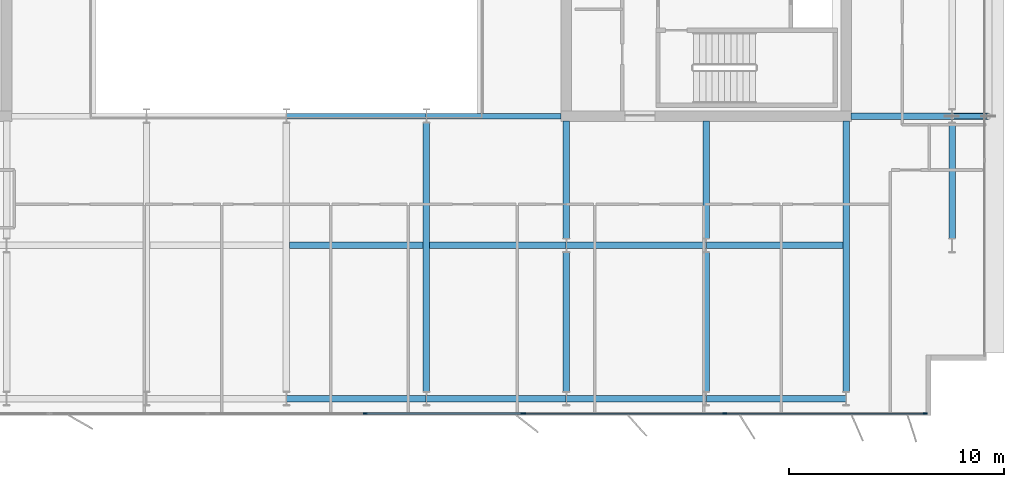
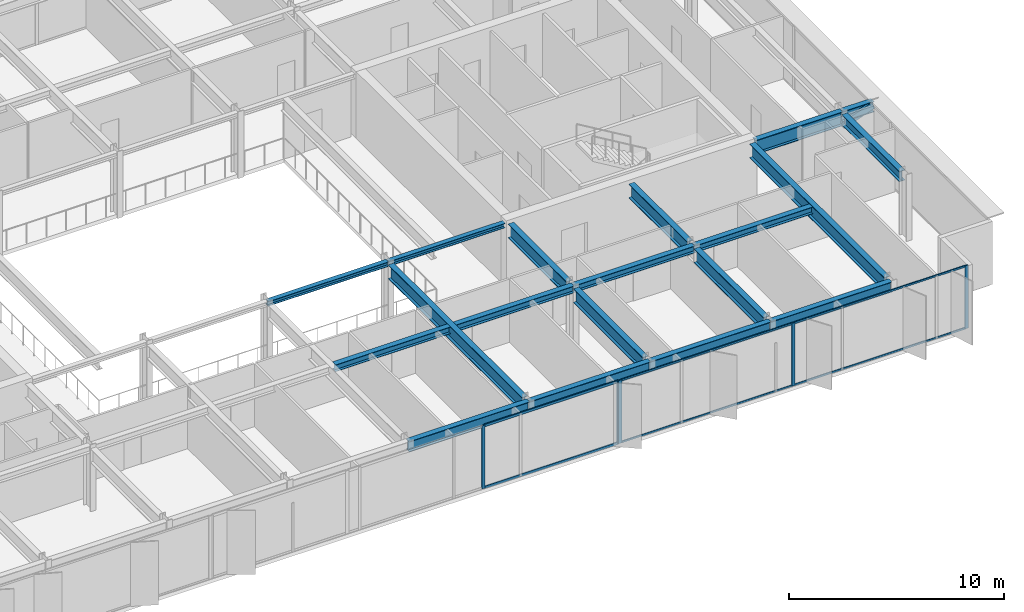
# One storey, part 6 of 20: 19 beams, 12 members, 2 elements without a shape of their own.
"""IFC4 building model written with IfcOpenShell, lengths in metres."""

from ifc_helpers import new_model, si_unit, direction, frame, origin, origin_2d, place, context, subcontext, project, spatial, rectangle, hollow_rectangle, i_section, extrude, material, layer, layer_set, material_profile, profile_set, type_object, element, aggregate, save


model = new_model("IFC4")

# Units and contexts
model_context = context("Model", 3, precision=1e-05, world=origin(), true_north=direction((0.0, 1.0)))
body_context = subcontext(model_context, "Body", "Model", "MODEL_VIEW")
ifc_project = project(units=[si_unit("LENGTHUNIT", "METRE"), si_unit("AREAUNIT", "SQUARE_METRE"), si_unit("VOLUMEUNIT", "CUBIC_METRE"), si_unit("PLANEANGLEUNIT", "RADIAN"), si_unit("MASSUNIT", "GRAM", prefix="KILO")], contexts=[model_context])

# Site, building, storey
site_placement = place(None, origin())
site = spatial("IfcSite", under=ifc_project, at=site_placement, CompositionType="ELEMENT")
building_placement = place(site_placement, origin())
building = spatial("IfcBuilding", under=site, at=building_placement, Name="Putna Gate Headquarters", CompositionType="ELEMENT")
storey_placement = place(building_placement, frame((0.0, 0.0, 270.800048828125)))
storey = spatial("IfcBuildingStorey", under=building, at=storey_placement, Name="L68", CompositionType="ELEMENT", Elevation=270.800048828125)

# Beams
ifc_material_1 = material(Name="Steel S355J2", Category="steel")
ifc_material_profile_1 = material_profile(ifc_material_1, i_section(OverallWidth=0.260009765625, OverallDepth=0.260009765625, WebThickness=0.010009765625, FlangeThickness=0.017578125, at=origin_2d()), Name="Steel S355J2")
ifc_profile_set_1 = profile_set([ifc_material_profile_1], Name="Steel S355J2")
beam_type_1 = type_object("IfcBeamType", Name="BM-ATRIUM-HEB260", PredefinedType="BEAM", material=ifc_profile_set_1)
beam_1_placement = place(storey_placement, frame((39.006103515625, 19.0, 3.4580078125), z_axis=(1.0, 0.0, 0.0), x_axis=(0.0, 1.0, 0.0)))
element("IfcBeam", 1, at=beam_1_placement, inside=storey, type_object=beam_type_1, Name="L68 Atrium Edge Beam AS3", PredefinedType="BEAM", context=body_context, shape_type="SweptSolid", body=[
    extrude(i_section(OverallWidth=0.260009765625, OverallDepth=0.260009765625, WebThickness=0.010009765625, FlangeThickness=0.017578125, at=origin_2d()), origin(), (0.0, 0.0, 1.0), 6.48779296875),
])
beam_2_placement = place(storey_placement, frame((45.506103515625, 19.0, 3.4580078125), z_axis=(1.0, 0.0, 0.0), x_axis=(0.0, 1.0, 0.0)))
element("IfcBeam", 2, at=beam_2_placement, inside=storey, type_object=beam_type_1, Name="L68 Atrium Edge Beam AS4", PredefinedType="BEAM", context=body_context, shape_type="SweptSolid", body=[
    extrude(i_section(OverallWidth=0.260009765625, OverallDepth=0.260009765625, WebThickness=0.010009765625, FlangeThickness=0.017578125, at=origin_2d()), origin(), (0.0, 0.0, 1.0), 6.2587890625),
])
ifc_material_profile_2 = material_profile(ifc_material_1, i_section(OverallWidth=0.300048828125, OverallDepth=0.800048828125, WebThickness=0.017578125, FlangeThickness=0.032958984375, at=origin_2d()), Name="Steel S355J2")
ifc_profile_set_2 = profile_set([ifc_material_profile_2], Name="Steel S355J2")
beam_type_2 = type_object("IfcBeamType", Name="BM-GIRD-P-HEB800", PredefinedType="USERDEFINED", material=ifc_profile_set_2)
beam_3_placement = place(storey_placement, frame((65.235107421875, 19.0, 3.18798828125), z_axis=(1.0, 0.0, 0.0), x_axis=(0.0, 1.0, 0.0)))
element("IfcBeam", 3, at=beam_3_placement, inside=storey, type_object=beam_type_2, Name="L68 East Wing Girder Y19", ObjectType="GIRDER", PredefinedType="USERDEFINED", context=body_context, shape_type="SweptSolid", body=[
    extrude(i_section(OverallWidth=0.300048828125, OverallDepth=0.800048828125, WebThickness=0.017578125, FlangeThickness=0.032958984375, at=origin_2d()), origin(), (0.0, 0.0, 1.0), 4.678955078125),
])
beam_4_placement = place(storey_placement, frame((45.5, 6.201904296875, 3.18798828125), z_axis=(0.0, 1.0, 0.0), x_axis=(-1.0, 0.0, 0.0)))
element("IfcBeam", 4, at=beam_4_placement, inside=storey, type_object=beam_type_2, Name="L68 South Primary Girder X45", ObjectType="GIRDER", PredefinedType="USERDEFINED", context=body_context, shape_type="SweptSolid", body=[
    extrude(i_section(OverallWidth=0.300048828125, OverallDepth=0.800048828125, WebThickness=0.017578125, FlangeThickness=0.032958984375, at=origin_2d()), origin(), (0.0, 0.0, 1.0), 12.47607421875),
])
beam_5_placement = place(storey_placement, frame((52.0, 6.201904296875, 3.18798828125), z_axis=(0.0, 1.0, 0.0), x_axis=(-1.0, 0.0, 0.0)))
element("IfcBeam", 5, at=beam_5_placement, inside=storey, type_object=beam_type_2, Name="L68 South Primary Girder X52-1", ObjectType="GIRDER", PredefinedType="USERDEFINED", context=body_context, shape_type="SweptSolid", body=[
    extrude(i_section(OverallWidth=0.300048828125, OverallDepth=0.800048828125, WebThickness=0.017578125, FlangeThickness=0.032958984375, at=origin_2d()), origin(), (0.0, 0.0, 1.0), 6.47607421875),
])
beam_6_placement = place(storey_placement, frame((52.0, 13.322021484375, 3.18798828125), z_axis=(0.0, 1.0, 0.0), x_axis=(-1.0, 0.0, 0.0)))
element("IfcBeam", 6, at=beam_6_placement, inside=storey, type_object=beam_type_2, Name="L68 South Primary Girder X52-2", ObjectType="GIRDER", PredefinedType="USERDEFINED", context=body_context, shape_type="SweptSolid", body=[
    extrude(i_section(OverallWidth=0.300048828125, OverallDepth=0.800048828125, WebThickness=0.017578125, FlangeThickness=0.032958984375, at=origin_2d()), origin(), (0.0, 0.0, 1.0), 5.44287109375),
])
beam_7_placement = place(storey_placement, frame((58.5, 6.201904296875, 3.18798828125), z_axis=(0.0, 1.0, 0.0), x_axis=(-1.0, 0.0, 0.0)))
element("IfcBeam", 7, at=beam_7_placement, inside=storey, type_object=beam_type_2, Name="L68 South Primary Girder X58-1", ObjectType="GIRDER", PredefinedType="USERDEFINED", context=body_context, shape_type="SweptSolid", body=[
    extrude(i_section(OverallWidth=0.300048828125, OverallDepth=0.800048828125, WebThickness=0.017578125, FlangeThickness=0.032958984375, at=origin_2d()), origin(), (0.0, 0.0, 1.0), 6.47607421875),
])
beam_8_placement = place(storey_placement, frame((58.5, 13.322021484375, 3.18798828125), z_axis=(0.0, 1.0, 0.0), x_axis=(-1.0, 0.0, 0.0)))
element("IfcBeam", 8, at=beam_8_placement, inside=storey, type_object=beam_type_2, Name="L68 South Primary Girder X58-2", ObjectType="GIRDER", PredefinedType="USERDEFINED", context=body_context, shape_type="SweptSolid", body=[
    extrude(i_section(OverallWidth=0.300048828125, OverallDepth=0.800048828125, WebThickness=0.017578125, FlangeThickness=0.032958984375, at=origin_2d()), origin(), (0.0, 0.0, 1.0), 5.44287109375),
])
beam_9_placement = place(storey_placement, frame((65.0, 6.201904296875, 3.18798828125), z_axis=(0.0, 1.0, 0.0), x_axis=(-1.0, 0.0, 0.0)))
element("IfcBeam", 9, at=beam_9_placement, inside=storey, type_object=beam_type_2, Name="L68 South Primary Girder X65", ObjectType="GIRDER", PredefinedType="USERDEFINED", context=body_context, shape_type="SweptSolid", body=[
    extrude(i_section(OverallWidth=0.300048828125, OverallDepth=0.800048828125, WebThickness=0.017578125, FlangeThickness=0.032958984375, at=origin_2d()), origin(), (0.0, 0.0, 1.0), 12.56298828125),
])
ifc_material_profile_3 = material_profile(ifc_material_1, i_section(OverallWidth=0.300048828125, OverallDepth=0.60009765625, WebThickness=0.015380859375, FlangeThickness=0.030029296875, at=origin_2d()), Name="Steel S355J2")
ifc_profile_set_3 = profile_set([ifc_material_profile_3], Name="Steel S355J2")
beam_type_3 = type_object("IfcBeamType", Name="BM-GIRD-SAIL-HEB600", PredefinedType="USERDEFINED", material=ifc_profile_set_3)
beam_10_placement = place(storey_placement, frame((69.926025390625, 19.0, 3.287841796875), z_axis=(1.0, 0.0, 0.0), x_axis=(0.0, 1.0, 0.0)))
element("IfcBeam", 10, at=beam_10_placement, inside=storey, type_object=beam_type_3, Name="L68 East Sail Outrigger Bracket Y19", ObjectType="GIRDER", PredefinedType="USERDEFINED", context=body_context, shape_type="SweptSolid", body=[
    extrude(i_section(OverallWidth=0.300048828125, OverallDepth=0.60009765625, WebThickness=0.015380859375, FlangeThickness=0.030029296875, at=origin_2d()), origin(), (0.0, 0.0, 1.0), 1.68896484375),
])
ifc_material_profile_4 = material_profile(ifc_material_1, i_section(OverallWidth=0.300048828125, OverallDepth=0.389892578125, WebThickness=0.010986328125, FlangeThickness=0.01904296875, at=origin_2d()), Name="Steel S355J2")
ifc_profile_set_4 = profile_set([ifc_material_profile_4], Name="Steel S355J2")
beam_type_4 = type_object("IfcBeamType", Name="BM-SEC-Z5-HEA400", PredefinedType="BEAM", material=ifc_profile_set_4)
beam_11_placement = place(storey_placement, frame((39.154052734375, 13.0, 3.39306640625), z_axis=(1.0, 0.0, 0.0), x_axis=(0.0, 1.0, 0.0)))
element("IfcBeam", 11, at=beam_11_placement, inside=storey, type_object=beam_type_4, Name="L68 South Secondary Beam 5", PredefinedType="BEAM", context=body_context, shape_type="SweptSolid", body=[
    extrude(i_section(OverallWidth=0.300048828125, OverallDepth=0.389892578125, WebThickness=0.010986328125, FlangeThickness=0.01904296875, at=origin_2d()), origin(), (0.0, 0.0, 1.0), 6.19189453125),
])
beam_12_placement = place(storey_placement, frame((45.654052734375, 13.0, 3.39306640625), z_axis=(1.0, 0.0, 0.0), x_axis=(0.0, 1.0, 0.0)))
element("IfcBeam", 12, at=beam_12_placement, inside=storey, type_object=beam_type_4, Name="L68 South Secondary Beam 6", PredefinedType="BEAM", context=body_context, shape_type="SweptSolid", body=[
    extrude(i_section(OverallWidth=0.300048828125, OverallDepth=0.389892578125, WebThickness=0.010986328125, FlangeThickness=0.01904296875, at=origin_2d()), origin(), (0.0, 0.0, 1.0), 6.33984375),
])
beam_13_placement = place(storey_placement, frame((52.006103515625, 13.0, 3.39306640625), z_axis=(1.0, 0.0, 0.0), x_axis=(0.0, 1.0, 0.0)))
element("IfcBeam", 13, at=beam_13_placement, inside=storey, type_object=beam_type_4, Name="L68 South Secondary Beam 7", PredefinedType="BEAM", context=body_context, shape_type="SweptSolid", body=[
    extrude(i_section(OverallWidth=0.300048828125, OverallDepth=0.389892578125, WebThickness=0.010986328125, FlangeThickness=0.01904296875, at=origin_2d()), origin(), (0.0, 0.0, 1.0), 6.48779296875),
])
beam_14_placement = place(storey_placement, frame((58.506103515625, 13.0, 3.39306640625), z_axis=(1.0, 0.0, 0.0), x_axis=(0.0, 1.0, 0.0)))
element("IfcBeam", 14, at=beam_14_placement, inside=storey, type_object=beam_type_4, Name="L68 South Secondary Beam 8", PredefinedType="BEAM", context=body_context, shape_type="SweptSolid", body=[
    extrude(i_section(OverallWidth=0.300048828125, OverallDepth=0.389892578125, WebThickness=0.010986328125, FlangeThickness=0.01904296875, at=origin_2d()), origin(), (0.0, 0.0, 1.0), 6.33984375),
])
ifc_material_profile_5 = material_profile(ifc_material_1, i_section(OverallWidth=0.300048828125, OverallDepth=0.590087890625, WebThickness=0.012939453125, FlangeThickness=0.02490234375, at=origin_2d()), Name="Steel S355J2")
ifc_profile_set_5 = profile_set([ifc_material_profile_5], Name="Steel S355J2")
beam_type_5 = type_object("IfcBeamType", Name="BM-SPAN-Z4-HEA600", PredefinedType="SPANDREL", material=ifc_profile_set_5)
for number, where, z_axis, x_axis, name in (
    (15, (39.006103515625, 5.8798828125, 3.29296875), (1.0, 0.0, 0.0), (0.0, 1.0, 0.0), "L68 S Perimeter Spandrel 5"),
    (16, (45.506103515625, 5.8798828125, 3.29296875), (1.0, 0.0, 0.0), (0.0, 1.0, 0.0), "L68 S Perimeter Spandrel 6"),
    (17, (52.006103515625, 5.8798828125, 3.29296875), (1.0, 0.0, 0.0), (0.0, 1.0, 0.0), "L68 S Perimeter Spandrel 7"),
    (18, (58.506103515625, 5.8798828125, 3.29296875), (1.0, 0.0, 0.0), (0.0, 1.0, 0.0), "L68 S Perimeter Spandrel 8"),
):
    element("IfcBeam", number, at=place(storey_placement, frame(where, z_axis=z_axis, x_axis=x_axis)), inside=storey, type_object=beam_type_5, Name=name, PredefinedType="SPANDREL", context=body_context, shape_type="SweptSolid", body=[
        extrude(i_section(OverallWidth=0.300048828125, OverallDepth=0.590087890625, WebThickness=0.012939453125, FlangeThickness=0.02490234375, at=origin_2d()), origin(), (0.0, 0.0, 1.0), 6.48779296875),
    ])
beam_15_placement = place(storey_placement, frame((69.919921875, 13.322021484375, 3.29296875), z_axis=(0.0, 1.0, 0.0), x_axis=(-1.0, 0.0, 0.0)))
element("IfcBeam", 19, at=beam_15_placement, inside=storey, type_object=beam_type_5, Name="L68 E End Spandrel 1", PredefinedType="SPANDREL", context=body_context, shape_type="SweptSolid", body=[
    extrude(i_section(OverallWidth=0.300048828125, OverallDepth=0.590087890625, WebThickness=0.012939453125, FlangeThickness=0.02490234375, at=origin_2d()), origin(), (0.0, 0.0, 1.0), 5.35595703125),
])

# Member
ifc_material_2 = material(Name="Steel S460M", Category="steel")
ifc_material_profile_6 = material_profile(ifc_material_2, hollow_rectangle(XDim=0.25, YDim=0.39990234375, WallThickness=0.01611328125, at=origin_2d()), Name="Steel S460M")
ifc_profile_set_6 = profile_set([ifc_material_profile_6], Name="Steel S460M")
member_type_1 = type_object("IfcMemberType", Name="MEM-SAIL-BRACE-RHS400", PredefinedType="BRACE", material=ifc_profile_set_6)
member_1_placement = place(storey_placement, frame((69.933837890625, 19.0, 2.7568359375), z_axis=(0.939171985965, 0.0, 0.343447202315), x_axis=(0.0, 1.0, 0.0)))
element("IfcMember", 20, at=member_1_placement, inside=storey, type_object=member_type_1, Name="L68 East Sail Cantilever Raker Y19", PredefinedType="BRACE", context=body_context, shape_type="SweptSolid", body=[
    extrude(hollow_rectangle(XDim=0.25, YDim=0.39990234375, WallThickness=0.01611328125, at=origin_2d()), origin(), (0.0, 0.0, 1.0), 1.75927734375),
])

# Curtain wall, members
ifc_material_3 = material(Name="Anodised bronze aluminium curtain wall", Category="aluminium")
ifc_layer_1 = layer(ifc_material_3, 0.179931640625)
ifc_layer_set_1 = layer_set([ifc_layer_1], Name="Anodised bronze aluminium curtain wall")
curtain_wall_type_1 = type_object("IfcCurtainWallType", Name="CW-SYS-Z5", PredefinedType="USERDEFINED", material=ifc_layer_set_1)
curtain_wall_1_placement = place(storey_placement, origin())
curtain_wall_1 = element("IfcCurtainWall", 21, at=curtain_wall_1_placement, inside=storey, type_object=curtain_wall_type_1, Name="L68 South East Curtain Wall", ObjectType="STICK CURTAIN WALL", PredefinedType="USERDEFINED")
ifc_material_4 = material(Name="Anodised bronze aluminium EN AW-6060", Category="aluminium")
ifc_material_profile_7 = material_profile(ifc_material_4, rectangle(XDim=0.070068359375, YDim=0.179931640625, at=origin_2d()), Name="Anodised bronze aluminium EN AW-6060")
ifc_profile_set_7 = profile_set([ifc_material_profile_7], Name="Anodised bronze aluminium EN AW-6060")
member_type_2 = type_object("IfcMemberType", Name="MULL-CWM-5", PredefinedType="MULLION", material=ifc_profile_set_7)
member_2_placement = place(storey_placement, frame((50.034912109375, 5.179931640625, 0.0), z_axis=(0.0, 0.0, 1.0), x_axis=(0.0, 1.0, 0.0)))
member_2 = element("IfcMember", 22, at=member_2_placement, type_object=member_type_2, Name="CWS-5 mullion 1", PredefinedType="MULLION", context=body_context, shape_type="SweptSolid", body=[
    extrude(rectangle(XDim=0.070068359375, YDim=0.179931640625, at=origin_2d()), origin(), (0.0, 0.0, 1.0), 3.587890625),
])
member_3_placement = place(storey_placement, frame((59.3564453125, 5.179931640625, 0.0), z_axis=(0.0, 0.0, 1.0), x_axis=(0.0, 1.0, 0.0)))
member_3 = element("IfcMember", 23, at=member_3_placement, type_object=member_type_2, Name="CWS-5 mullion 2", PredefinedType="MULLION", context=body_context, shape_type="SweptSolid", body=[
    extrude(rectangle(XDim=0.070068359375, YDim=0.179931640625, at=origin_2d()), origin(), (0.0, 0.0, 1.0), 3.587890625),
])
member_4_placement = place(storey_placement, frame((68.677734375, 5.179931640625, 0.0), z_axis=(0.0, 0.0, 1.0), x_axis=(0.0, 1.0, 0.0)))
member_4 = element("IfcMember", 24, at=member_4_placement, type_object=member_type_2, Name="CWS-5 mullion 3", PredefinedType="MULLION", context=body_context, shape_type="SweptSolid", body=[
    extrude(rectangle(XDim=0.070068359375, YDim=0.179931640625, at=origin_2d()), origin(), (0.0, 0.0, 1.0), 3.587890625),
])

ifc_layer_2 = layer(ifc_material_3, 0.179931640625)
ifc_layer_set_2 = layer_set([ifc_layer_2], Name="Anodised bronze aluminium curtain wall")
curtain_wall_type_2 = type_object("IfcCurtainWallType", Name="CW-SYS-ATR", PredefinedType="USERDEFINED", material=ifc_layer_set_2)
curtain_wall_2_placement = place(storey_placement, origin())
curtain_wall_2 = element("IfcCurtainWall", 25, at=curtain_wall_2_placement, inside=storey, type_object=curtain_wall_type_2, Name="L68 South Atrium Clear Glazing", ObjectType="ATRIUM GLAZING", PredefinedType="USERDEFINED")
ifc_material_profile_8 = material_profile(ifc_material_4, rectangle(XDim=0.070068359375, YDim=0.179931640625, at=origin_2d()), Name="Anodised bronze aluminium EN AW-6060")
ifc_profile_set_8 = profile_set([ifc_material_profile_8], Name="Anodised bronze aluminium EN AW-6060")
member_type_3 = type_object("IfcMemberType", Name="MULL-CWM-AT", PredefinedType="MULLION", material=ifc_profile_set_8)
member_5_placement = place(storey_placement, frame((42.666748046875, 5.179931640625, 0.0), z_axis=(0.0, 0.0, 1.0), x_axis=(0.0, 1.0, 0.0)))
member_5 = element("IfcMember", 26, at=member_5_placement, type_object=member_type_3, Name="CWS-AT mullion 3", PredefinedType="MULLION", context=body_context, shape_type="SweptSolid", body=[
    extrude(rectangle(XDim=0.070068359375, YDim=0.179931640625, at=origin_2d()), origin(), (0.0, 0.0, 1.0), 3.587890625),
])
member_6_placement = place(storey_placement, frame((49.965087890625, 5.179931640625, 0.0), z_axis=(0.0, 0.0, 1.0), x_axis=(0.0, 1.0, 0.0)))
member_6 = element("IfcMember", 27, at=member_6_placement, type_object=member_type_3, Name="CWS-AT mullion 4", PredefinedType="MULLION", context=body_context, shape_type="SweptSolid", body=[
    extrude(rectangle(XDim=0.070068359375, YDim=0.179931640625, at=origin_2d()), origin(), (0.0, 0.0, 1.0), 3.587890625),
])

# Member
ifc_material_profile_9 = material_profile(ifc_material_4, rectangle(XDim=0.06005859375, YDim=0.10009765625, at=origin_2d()), Name="Anodised bronze aluminium EN AW-6060")
ifc_profile_set_9 = profile_set([ifc_material_profile_9], Name="Anodised bronze aluminium EN AW-6060")
member_type_4 = type_object("IfcMemberType", Name="TRAN-CWT-5", PredefinedType="USERDEFINED", material=ifc_profile_set_9)
member_7_placement = place(storey_placement, frame((50.070068359375, 5.179931640625, 0.030029296875), z_axis=(1.0, 0.0, 0.0), x_axis=(0.0, 1.0, 0.0)))
member_7 = element("IfcMember", 28, at=member_7_placement, type_object=member_type_4, Name="CWS-5 transom 1.1", ObjectType="TRANSOM", PredefinedType="USERDEFINED", context=body_context, shape_type="SweptSolid", body=[
    extrude(rectangle(XDim=0.06005859375, YDim=0.10009765625, at=origin_2d()), origin(), (0.0, 0.0, 1.0), 9.251220703125),
])

member_8_placement = place(storey_placement, frame((50.070068359375, 5.179931640625, 3.557861328125), z_axis=(1.0, 0.0, 0.0), x_axis=(0.0, 1.0, 0.0)))
member_8 = element("IfcMember", 29, at=member_8_placement, type_object=member_type_4, Name="CWS-5 transom 1.2", ObjectType="TRANSOM", PredefinedType="USERDEFINED", context=body_context, shape_type="SweptSolid", body=[
    extrude(rectangle(XDim=0.06005859375, YDim=0.10009765625, at=origin_2d()), origin(), (0.0, 0.0, 1.0), 9.251220703125),
])

member_9_placement = place(storey_placement, frame((59.391357421875, 5.179931640625, 0.030029296875), z_axis=(1.0, 0.0, 0.0), x_axis=(0.0, 1.0, 0.0)))
member_9 = element("IfcMember", 30, at=member_9_placement, type_object=member_type_4, Name="CWS-5 transom 2.1", ObjectType="TRANSOM", PredefinedType="USERDEFINED", context=body_context, shape_type="SweptSolid", body=[
    extrude(rectangle(XDim=0.06005859375, YDim=0.10009765625, at=origin_2d()), origin(), (0.0, 0.0, 1.0), 9.251220703125),
])

member_10_placement = place(storey_placement, frame((59.391357421875, 5.179931640625, 3.557861328125), z_axis=(1.0, 0.0, 0.0), x_axis=(0.0, 1.0, 0.0)))
member_10 = element("IfcMember", 31, at=member_10_placement, type_object=member_type_4, Name="CWS-5 transom 2.2", ObjectType="TRANSOM", PredefinedType="USERDEFINED", context=body_context, shape_type="SweptSolid", body=[
    extrude(rectangle(XDim=0.06005859375, YDim=0.10009765625, at=origin_2d()), origin(), (0.0, 0.0, 1.0), 9.251220703125),
])

aggregate(curtain_wall_1, [member_2, member_3, member_4, member_7, member_8, member_9, member_10])

ifc_material_profile_10 = material_profile(ifc_material_4, rectangle(XDim=0.070068359375, YDim=0.139892578125, at=origin_2d()), Name="Anodised bronze aluminium EN AW-6060")
ifc_profile_set_10 = profile_set([ifc_material_profile_10], Name="Anodised bronze aluminium EN AW-6060")
member_type_5 = type_object("IfcMemberType", Name="TRAN-CWT-AT", PredefinedType="USERDEFINED", material=ifc_profile_set_10)
member_11_placement = place(storey_placement, frame((42.70166015625, 5.179931640625, 0.034912109375), z_axis=(1.0, 0.0, 0.0), x_axis=(0.0, 1.0, 0.0)))
member_11 = element("IfcMember", 32, at=member_11_placement, type_object=member_type_5, Name="CWS-AT transom 3.1", ObjectType="TRANSOM", PredefinedType="USERDEFINED", context=body_context, shape_type="SweptSolid", body=[
    extrude(rectangle(XDim=0.070068359375, YDim=0.139892578125, at=origin_2d()), origin(), (0.0, 0.0, 1.0), 7.228271484375),
])

member_12_placement = place(storey_placement, frame((42.70166015625, 5.179931640625, 3.552978515625), z_axis=(1.0, 0.0, 0.0), x_axis=(0.0, 1.0, 0.0)))
member_12 = element("IfcMember", 33, at=member_12_placement, type_object=member_type_5, Name="CWS-AT transom 3.2", ObjectType="TRANSOM", PredefinedType="USERDEFINED", context=body_context, shape_type="SweptSolid", body=[
    extrude(rectangle(XDim=0.070068359375, YDim=0.139892578125, at=origin_2d()), origin(), (0.0, 0.0, 1.0), 7.228271484375),
])

aggregate(curtain_wall_2, [member_5, member_6, member_11, member_12])

save(model, "model.ifc")
